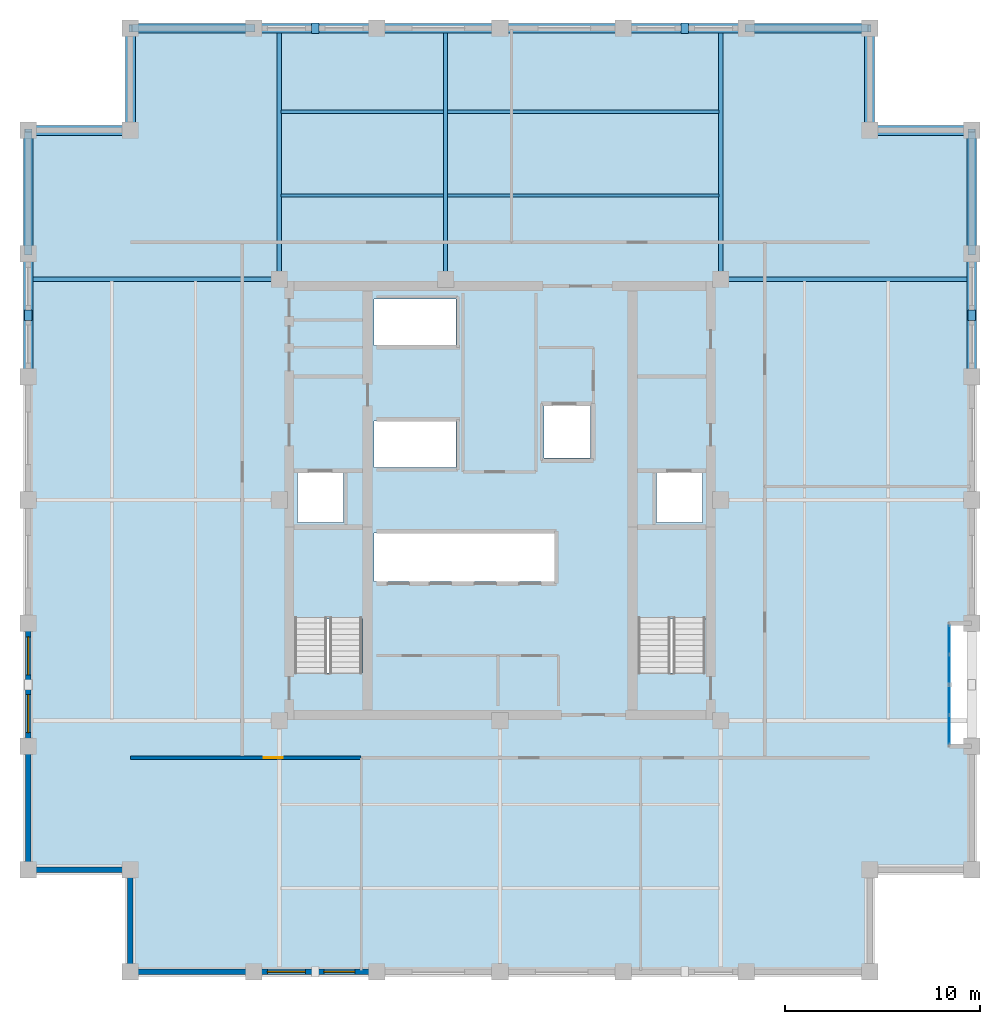
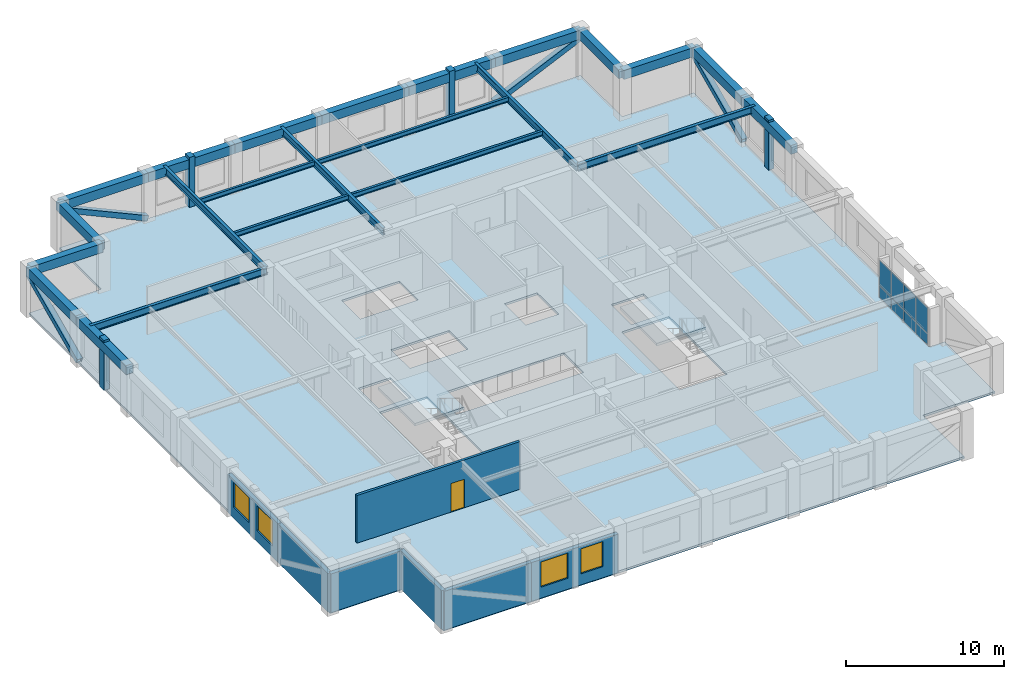
# One storey, part 3 of 8: 23 beams, 8 members, 8 plates, 7 walls, 4 windows, 3 slabs, 1 door, 5 openings, 3 elements without a shape of their own.
"""IFC4 building model written with IfcOpenShell, lengths in metres."""

from ifc_helpers import new_model, si_unit, direction, frame, frame_2d, origin, origin_2d, place, context, subcontext, project, spatial, polyline, rectangle, hollow_rectangle, i_section, outline, extrude, material, layer, layer_set, material_profile, profile_set, type_object, element, fill, aggregate, save


model = new_model("IFC4")

# Units and contexts
model_context = context("Model", 3, precision=1e-05, world=origin(), true_north=direction((0.0, 1.0)))
body_context = subcontext(model_context, "Body", "Model", "MODEL_VIEW")
ifc_project = project(units=[si_unit("LENGTHUNIT", "METRE"), si_unit("AREAUNIT", "SQUARE_METRE"), si_unit("VOLUMEUNIT", "CUBIC_METRE"), si_unit("PLANEANGLEUNIT", "RADIAN"), si_unit("MASSUNIT", "GRAM", prefix="KILO")], contexts=[model_context])

# Site, building, storey
site_placement = place(None, origin())
site = spatial("IfcSite", under=ifc_project, at=site_placement, CompositionType="ELEMENT")
building_placement = place(site_placement, origin())
building = spatial("IfcBuilding", under=site, at=building_placement, Name="Nhamokura Convention Tower", CompositionType="ELEMENT")
storey_placement = place(building_placement, frame((0.0, 0.0, 240.800048828125)))
storey = spatial("IfcBuildingStorey", under=building, at=storey_placement, Name="L59", CompositionType="ELEMENT", Elevation=240.800048828125)

# Members
ifc_material_1 = material(Name="Bronze-pigmented precast concrete C45/55", Category="concrete")
ifc_material_profile_1 = material_profile(ifc_material_1, rectangle(XDim=0.39990234375, YDim=0.550048828125, at=origin_2d()))
ifc_profile_set_1 = profile_set([ifc_material_profile_1], Name="Bronze-pigmented precast concrete C45/55")
member_type_1 = type_object("IfcMemberType", Name="BronzePilaster_550", PredefinedType="USERDEFINED", material=ifc_profile_set_1)
for number, where, z_axis, x_axis, name in (
    (1, (22.5, 56.25, 0.0), (0.0, 0.0, 1.0), (1.0, 0.0, 0.0), "L59 Engaged Frame Pilaster NORTH 1"),
    (2, (41.5, 56.25, 0.0), (0.0, 0.0, 1.0), (1.0, 0.0, 0.0), "L59 Engaged Frame Pilaster NORTH 4"),
    (3, (7.75, 41.5, 0.0), (0.0, 0.0, 1.0), (1.0, 0.0, 0.0), "L59 Engaged Frame Pilaster WEST 4"),
    (4, (56.25, 41.5, 0.0), (0.0, 0.0, 1.0), (1.0, 0.0, 0.0), "L59 Engaged Frame Pilaster EAST 4"),
):
    element("IfcMember", number, at=place(storey_placement, frame(where, z_axis=z_axis, x_axis=x_axis)), inside=storey, type_object=member_type_1, Name=name, ObjectType="PILASTER_TRIM", PredefinedType="USERDEFINED", context=body_context, shape_type="SweptSolid", body=[
        extrude(rectangle(XDim=0.39990234375, YDim=0.550048828125, at=origin_2d()), origin(), (0.0, 0.0, 1.0), 3.849853515625),
    ])

# Beams
ifc_material_2 = material(Name="Steel ASTM A992 Gr 50", Category="steel")
ifc_material_profile_2 = material_profile(ifc_material_2, i_section(OverallWidth=0.172119140625, OverallDepth=0.35791015625, WebThickness=0.0078125, FlangeThickness=0.01318359375, at=origin_2d()))
ifc_profile_set_2 = profile_set([ifc_material_profile_2], Name="Steel ASTM A992 Gr 50")
beam_type_1 = type_object("IfcBeamType", Name="FloorJoist_W360X57", PredefinedType="JOIST", material=ifc_profile_set_2)
beam_1_placement = place(storey_placement, frame((20.75341796875, 47.64990234375, 3.505859375), z_axis=(1.0, 0.0, 0.0), x_axis=(0.0, 1.0, 0.0)))
element("IfcBeam", 5, at=beam_1_placement, inside=storey, type_object=beam_type_1, Name="L59 Composite Floor Joist N1A", PredefinedType="JOIST", context=body_context, shape_type="SweptSolid", body=[
    extrude(i_section(OverallWidth=0.172119140625, OverallDepth=0.35791015625, WebThickness=0.0078125, FlangeThickness=0.01318359375, at=origin_2d()), origin(), (0.0, 0.0, 1.0), 8.343017578125),
])
beam_2_placement = place(storey_placement, frame((29.303466796875, 47.64990234375, 3.505859375), z_axis=(1.0, 0.0, 0.0), x_axis=(0.0, 1.0, 0.0)))
element("IfcBeam", 6, at=beam_2_placement, inside=storey, type_object=beam_type_1, Name="L59 Composite Floor Joist N1B", PredefinedType="JOIST", context=body_context, shape_type="SweptSolid", body=[
    extrude(i_section(OverallWidth=0.172119140625, OverallDepth=0.35791015625, WebThickness=0.0078125, FlangeThickness=0.01318359375, at=origin_2d()), origin(), (0.0, 0.0, 1.0), 13.943115234375),
])
beam_3_placement = place(storey_placement, frame((20.75341796875, 51.949951171875, 3.505859375), z_axis=(1.0, 0.0, 0.0), x_axis=(0.0, 1.0, 0.0)))
element("IfcBeam", 7, at=beam_3_placement, inside=storey, type_object=beam_type_1, Name="L59 Composite Floor Joist N2A", PredefinedType="JOIST", context=body_context, shape_type="SweptSolid", body=[
    extrude(i_section(OverallWidth=0.172119140625, OverallDepth=0.35791015625, WebThickness=0.0078125, FlangeThickness=0.01318359375, at=origin_2d()), origin(), (0.0, 0.0, 1.0), 8.343017578125),
])
beam_4_placement = place(storey_placement, frame((29.303466796875, 51.949951171875, 3.505859375), z_axis=(1.0, 0.0, 0.0), x_axis=(0.0, 1.0, 0.0)))
element("IfcBeam", 8, at=beam_4_placement, inside=storey, type_object=beam_type_1, Name="L59 Composite Floor Joist N2B", PredefinedType="JOIST", context=body_context, shape_type="SweptSolid", body=[
    extrude(i_section(OverallWidth=0.172119140625, OverallDepth=0.35791015625, WebThickness=0.0078125, FlangeThickness=0.01318359375, at=origin_2d()), origin(), (0.0, 0.0, 1.0), 13.943115234375),
])
ifc_material_3 = material(Name="Steel ASTM A992 Gr 50", Category="steel")
ifc_material_profile_3 = material_profile(ifc_material_3, i_section(OverallWidth=0.2109375, OverallDepth=0.5390625, WebThickness=0.01171875, FlangeThickness=0.018798828125, at=origin_2d()))
ifc_profile_set_3 = profile_set([ifc_material_profile_3], Name="Steel ASTM A992 Gr 50")
beam_type_2 = type_object("IfcBeamType", Name="PrimaryGirder_W530X109", PredefinedType="BEAM", material=ifc_profile_set_3)
for number, where, z_axis, x_axis, name in (
    (9, (20.64990234375, 43.35009765625, 3.41552734375), (0.0, 1.0, 0.0), (-1.0, 0.0, 0.0), "L59 Primary Floor Girder PG-N1"),
    (10, (29.199951171875, 43.35009765625, 3.41552734375), (0.0, 1.0, 0.0), (-1.0, 0.0, 0.0), "L59 Primary Floor Girder PG-N2"),
    (11, (43.35009765625, 43.35009765625, 3.41552734375), (0.0, 1.0, 0.0), (-1.0, 0.0, 0.0), "L59 Primary Floor Girder PG-N3"),
    (12, (7.75, 43.35009765625, 3.41552734375), (1.0, 0.0, 0.0), (0.0, 1.0, 0.0), "L59 Primary Floor Girder PG-W3"),
    (13, (43.35009765625, 43.35009765625, 3.41552734375), (1.0, 0.0, 0.0), (0.0, 1.0, 0.0), "L59 Primary Floor Girder PG-E3"),
):
    element("IfcBeam", number, at=place(storey_placement, frame(where, z_axis=z_axis, x_axis=x_axis)), inside=storey, type_object=beam_type_2, Name=name, PredefinedType="BEAM", context=body_context, shape_type="SweptSolid", body=[
        extrude(i_section(OverallWidth=0.2109375, OverallDepth=0.5390625, WebThickness=0.01171875, FlangeThickness=0.018798828125, at=origin_2d()), origin(), (0.0, 0.0, 1.0), 12.89990234375),
    ])

# Members
ifc_material_4 = material(Name="Steel ASTM A572 Gr 50", Category="steel")
ifc_material_profile_4 = material_profile(ifc_material_4, hollow_rectangle(XDim=0.39990234375, YDim=0.39990234375, WallThickness=0.02001953125, at=origin_2d()))
ifc_profile_set_4 = profile_set([ifc_material_profile_4], Name="Steel ASTM A572 Gr 50")
member_type_2 = type_object("IfcMemberType", Name="TubeBrace_HSS400", PredefinedType="BRACE", material=ifc_profile_set_4)
for number, where, z_axis, x_axis, name in (
    (14, (19.333251953125, 56.25, 0.14990234375), (-0.910027379678, 0.0, 0.41454814948), (0.0, -1.0, 0.0), "L59 Perimeter Tube Brace NORTH Bay 0"),
    (15, (44.666748046875, 56.25, 0.14990234375), (0.910027379678, 0.0, 0.41454814948), (0.0, 1.0, 0.0), "L59 Perimeter Tube Brace NORTH Bay 5"),
    (16, (7.75, 44.666748046875, 0.14990234375), (0.0, 0.910027379678, 0.41454814948), (-1.0, 0.0, 0.0), "L59 Perimeter Tube Brace WEST Bay 5"),
    (17, (56.25, 44.666748046875, 0.14990234375), (0.0, 0.910027379678, 0.41454814948), (-1.0, 0.0, 0.0), "L59 Perimeter Tube Brace EAST Bay 5"),
):
    element("IfcMember", number, at=place(storey_placement, frame(where, z_axis=z_axis, x_axis=x_axis)), inside=storey, type_object=member_type_2, Name=name, PredefinedType="BRACE", context=body_context, shape_type="SweptSolid", body=[
        extrude(hollow_rectangle(XDim=0.39990234375, YDim=0.39990234375, WallThickness=0.02001953125, at=origin_2d()), origin(), (0.0, 0.0, 1.0), 6.95947265625),
    ])

# Beams
ifc_material_5 = material(Name="Concrete C50/60", Category="concrete")
ifc_material_profile_5 = material_profile(ifc_material_5, rectangle(XDim=0.5, YDim=0.699951171875, at=origin_2d()))
ifc_profile_set_5 = profile_set([ifc_material_profile_5], Name="Concrete C50/60")
beam_type_3 = type_object("IfcBeamType", Name="TubeSpandrel_700", PredefinedType="SPANDREL", material=ifc_profile_set_5)
beam_5_placement = place(storey_placement, frame((13.0, 56.25, 3.3349609375), z_axis=(1.0, 0.0, 0.0), x_axis=(0.0, 1.0, 0.0)))
element("IfcBeam", 18, at=beam_5_placement, inside=storey, type_object=beam_type_3, Name="L59 Perimeter Spandrel NORTH 1", PredefinedType="SPANDREL", context=body_context, shape_type="SweptSolid", body=[
    extrude(rectangle(XDim=0.5, YDim=0.699951171875, at=origin_2d()), origin(), (0.0, 0.0, 1.0), 6.333251953125),
])
beam_6_placement = place(storey_placement, frame((19.333251953125, 56.25, 3.3349609375), z_axis=(1.0, 0.0, 0.0), x_axis=(0.0, 1.0, 0.0)))
element("IfcBeam", 19, at=beam_6_placement, inside=storey, type_object=beam_type_3, Name="L59 Perimeter Spandrel NORTH 2", PredefinedType="SPANDREL", context=body_context, shape_type="SweptSolid", body=[
    extrude(rectangle(XDim=0.5, YDim=0.699951171875, at=origin_2d()), origin(), (0.0, 0.0, 1.0), 6.33349609375),
])
for number, where, z_axis, x_axis, name in (
    (20, (25.666748046875, 56.25, 3.3349609375), (1.0, 0.0, 0.0), (0.0, 1.0, 0.0), "L59 Perimeter Spandrel NORTH 3"),
    (21, (32.0, 56.25, 3.3349609375), (1.0, 0.0, 0.0), (0.0, 1.0, 0.0), "L59 Perimeter Spandrel NORTH 4"),
):
    element("IfcBeam", number, at=place(storey_placement, frame(where, z_axis=z_axis, x_axis=x_axis)), inside=storey, type_object=beam_type_3, Name=name, PredefinedType="SPANDREL", context=body_context, shape_type="SweptSolid", body=[
        extrude(rectangle(XDim=0.5, YDim=0.699951171875, at=origin_2d()), origin(), (0.0, 0.0, 1.0), 6.333251953125),
    ])
beam_7_placement = place(storey_placement, frame((38.333251953125, 56.25, 3.3349609375), z_axis=(1.0, 0.0, 0.0), x_axis=(0.0, 1.0, 0.0)))
element("IfcBeam", 22, at=beam_7_placement, inside=storey, type_object=beam_type_3, Name="L59 Perimeter Spandrel NORTH 5", PredefinedType="SPANDREL", context=body_context, shape_type="SweptSolid", body=[
    extrude(rectangle(XDim=0.5, YDim=0.699951171875, at=origin_2d()), origin(), (0.0, 0.0, 1.0), 6.33349609375),
])
beam_8_placement = place(storey_placement, frame((44.666748046875, 56.25, 3.3349609375), z_axis=(1.0, 0.0, 0.0), x_axis=(0.0, 1.0, 0.0)))
element("IfcBeam", 23, at=beam_8_placement, inside=storey, type_object=beam_type_3, Name="L59 Perimeter Spandrel NORTH 6", PredefinedType="SPANDREL", context=body_context, shape_type="SweptSolid", body=[
    extrude(rectangle(XDim=0.5, YDim=0.699951171875, at=origin_2d()), origin(), (0.0, 0.0, 1.0), 6.333251953125),
])
beam_9_placement = place(storey_placement, frame((7.75, 38.333251953125, 3.3349609375), z_axis=(0.0, 1.0, 0.0), x_axis=(-1.0, 0.0, 0.0)))
element("IfcBeam", 24, at=beam_9_placement, inside=storey, type_object=beam_type_3, Name="L59 Perimeter Spandrel WEST 5", PredefinedType="SPANDREL", context=body_context, shape_type="SweptSolid", body=[
    extrude(rectangle(XDim=0.5, YDim=0.699951171875, at=origin_2d()), origin(), (0.0, 0.0, 1.0), 6.33349609375),
])
beam_10_placement = place(storey_placement, frame((7.75, 44.666748046875, 3.3349609375), z_axis=(0.0, 1.0, 0.0), x_axis=(-1.0, 0.0, 0.0)))
element("IfcBeam", 25, at=beam_10_placement, inside=storey, type_object=beam_type_3, Name="L59 Perimeter Spandrel WEST 6", PredefinedType="SPANDREL", context=body_context, shape_type="SweptSolid", body=[
    extrude(rectangle(XDim=0.5, YDim=0.699951171875, at=origin_2d()), origin(), (0.0, 0.0, 1.0), 6.333251953125),
])
beam_11_placement = place(storey_placement, frame((56.25, 38.333251953125, 3.3349609375), z_axis=(0.0, 1.0, 0.0), x_axis=(-1.0, 0.0, 0.0)))
element("IfcBeam", 26, at=beam_11_placement, inside=storey, type_object=beam_type_3, Name="L59 Perimeter Spandrel EAST 5", PredefinedType="SPANDREL", context=body_context, shape_type="SweptSolid", body=[
    extrude(rectangle(XDim=0.5, YDim=0.699951171875, at=origin_2d()), origin(), (0.0, 0.0, 1.0), 6.33349609375),
])
beam_12_placement = place(storey_placement, frame((56.25, 44.666748046875, 3.3349609375), z_axis=(0.0, 1.0, 0.0), x_axis=(-1.0, 0.0, 0.0)))
element("IfcBeam", 27, at=beam_12_placement, inside=storey, type_object=beam_type_3, Name="L59 Perimeter Spandrel EAST 6", PredefinedType="SPANDREL", context=body_context, shape_type="SweptSolid", body=[
    extrude(rectangle(XDim=0.5, YDim=0.699951171875, at=origin_2d()), origin(), (0.0, 0.0, 1.0), 6.333251953125),
])
for number, where, z_axis, x_axis, name in (
    (28, (56.25, 51.0, 3.3349609375), (-1.0, 0.0, 0.0), (0.0, -1.0, 0.0), "L59 Notch Spandrel NE1"),
    (29, (51.0, 51.0, 3.3349609375), (0.0, 1.0, 0.0), (-1.0, 0.0, 0.0), "L59 Notch Spandrel NE2"),
    (30, (13.0, 56.25, 3.3349609375), (0.0, -1.0, 0.0), (1.0, 0.0, 0.0), "L59 Notch Spandrel NW1"),
    (31, (13.0, 51.0, 3.3349609375), (-1.0, 0.0, 0.0), (0.0, -1.0, 0.0), "L59 Notch Spandrel NW2"),
):
    element("IfcBeam", number, at=place(storey_placement, frame(where, z_axis=z_axis, x_axis=x_axis)), inside=storey, type_object=beam_type_3, Name=name, PredefinedType="SPANDREL", context=body_context, shape_type="SweptSolid", body=[
        extrude(rectangle(XDim=0.5, YDim=0.699951171875, at=origin_2d()), origin(), (0.0, 0.0, 1.0), 5.25),
    ])

# Curtain wall, plates
ifc_material_6 = material(Name="Anodised bronze aluminium AA6063-T6", Category="aluminium")
ifc_layer_1 = layer(ifc_material_6, 0.155029296875)
ifc_layer_set_1 = layer_set([ifc_layer_1], Name="CWSystem_ScaleSlot_Zone3")
curtain_wall_type = type_object("IfcCurtainWallType", Name="CWSystem_ScaleSlot_Zone3", PredefinedType="NOTDEFINED", material=ifc_layer_set_1)
curtain_wall_placement = place(storey_placement, origin())
curtain_wall = element("IfcCurtainWall", 32, at=curtain_wall_placement, inside=storey, type_object=curtain_wall_type, Name="L59 Curtain Wall ENV-L59-SLOT-E1", PredefinedType="NOTDEFINED")
ifc_material_7 = material(Name="Solar-control bronze low-E double glass", Category="glass")
ifc_layer_2 = layer(ifc_material_7, 0.0400390625)
ifc_layer_set_2 = layer_set([ifc_layer_2], Name="CWGlazedPanel_3")
plate_type = type_object("IfcPlateType", Name="CWGlazedPanel_3", PredefinedType="CURTAIN_PANEL", material=ifc_layer_set_2)
plate_1_placement = place(storey_placement, frame((55.10009765625, 24.813720703125, 0.06494140625), z_axis=(0.0, 0.0, 1.0), x_axis=(0.0, -1.0, 0.0)))
plate_1 = element("IfcPlate", 33, at=plate_1_placement, type_object=plate_type, Name="CW-05 panel 1.1", PredefinedType="CURTAIN_PANEL", context=body_context, shape_type="SweptSolid", body=[
    extrude(rectangle(XDim=1.455810546875, YDim=0.0400390625, at=origin_2d()), origin(), (0.0, 0.0, 1.0), 0.8525390625),
])
plate_2_placement = place(storey_placement, frame((55.10009765625, 24.813720703125, 0.982421875), z_axis=(0.0, 0.0, 1.0), x_axis=(0.0, -1.0, 0.0)))
plate_2 = element("IfcPlate", 34, at=plate_2_placement, type_object=plate_type, Name="CW-05 panel 1.2", PredefinedType="CURTAIN_PANEL", context=body_context, shape_type="SweptSolid", body=[
    extrude(rectangle(XDim=1.455810546875, YDim=0.0400390625, at=origin_2d()), origin(), (0.0, 0.0, 1.0), 1.9375),
])
plate_3_placement = place(storey_placement, frame((55.10009765625, 23.276611328125, 0.06494140625), z_axis=(0.0, 0.0, 1.0), x_axis=(0.0, -1.0, 0.0)))
plate_3 = element("IfcPlate", 35, at=plate_3_placement, type_object=plate_type, Name="CW-05 panel 2.1", PredefinedType="CURTAIN_PANEL", context=body_context, shape_type="SweptSolid", body=[
    extrude(rectangle(XDim=1.48828125, YDim=0.0400390625, at=origin_2d()), origin(), (0.0, 0.0, 1.0), 0.8525390625),
])
plate_4_placement = place(storey_placement, frame((55.10009765625, 23.276611328125, 0.982421875), z_axis=(0.0, 0.0, 1.0), x_axis=(0.0, -1.0, 0.0)))
plate_4 = element("IfcPlate", 36, at=plate_4_placement, type_object=plate_type, Name="CW-05 panel 2.2", PredefinedType="CURTAIN_PANEL", context=body_context, shape_type="SweptSolid", body=[
    extrude(rectangle(XDim=1.48828125, YDim=0.0400390625, at=origin_2d()), origin(), (0.0, 0.0, 1.0), 1.9375),
])
plate_5_placement = place(storey_placement, frame((55.10009765625, 21.723388671875, 0.06494140625), z_axis=(0.0, 0.0, 1.0), x_axis=(0.0, -1.0, 0.0)))
plate_5 = element("IfcPlate", 37, at=plate_5_placement, type_object=plate_type, Name="CW-05 panel 3.1", PredefinedType="CURTAIN_PANEL", context=body_context, shape_type="SweptSolid", body=[
    extrude(rectangle(XDim=1.48828125, YDim=0.0400390625, at=origin_2d()), origin(), (0.0, 0.0, 1.0), 0.8525390625),
])
plate_6_placement = place(storey_placement, frame((55.10009765625, 21.723388671875, 0.982421875), z_axis=(0.0, 0.0, 1.0), x_axis=(0.0, -1.0, 0.0)))
plate_6 = element("IfcPlate", 38, at=plate_6_placement, type_object=plate_type, Name="CW-05 panel 3.2", PredefinedType="CURTAIN_PANEL", context=body_context, shape_type="SweptSolid", body=[
    extrude(rectangle(XDim=1.48828125, YDim=0.0400390625, at=origin_2d()), origin(), (0.0, 0.0, 1.0), 1.9375),
])
plate_7_placement = place(storey_placement, frame((55.10009765625, 20.186279296875, 0.06494140625), z_axis=(0.0, 0.0, 1.0), x_axis=(0.0, -1.0, 0.0)))
plate_7 = element("IfcPlate", 39, at=plate_7_placement, type_object=plate_type, Name="CW-05 panel 4.1", PredefinedType="CURTAIN_PANEL", context=body_context, shape_type="SweptSolid", body=[
    extrude(rectangle(XDim=1.455810546875, YDim=0.0400390625, at=origin_2d()), origin(), (0.0, 0.0, 1.0), 0.8525390625),
])
plate_8_placement = place(storey_placement, frame((55.10009765625, 20.186279296875, 0.982421875), z_axis=(0.0, 0.0, 1.0), x_axis=(0.0, -1.0, 0.0)))
plate_8 = element("IfcPlate", 40, at=plate_8_placement, type_object=plate_type, Name="CW-05 panel 4.2", PredefinedType="CURTAIN_PANEL", context=body_context, shape_type="SweptSolid", body=[
    extrude(rectangle(XDim=1.455810546875, YDim=0.0400390625, at=origin_2d()), origin(), (0.0, 0.0, 1.0), 1.9375),
])
aggregate(curtain_wall, [plate_1, plate_2, plate_3, plate_4, plate_5, plate_6, plate_7, plate_8])

# Slab
ifc_material_8 = material(Name="Concrete C40/50", Category="concrete")
ifc_layer_3 = layer(ifc_material_8, 0.1650390625)
ifc_layer_set_3 = layer_set([ifc_layer_3], Name="OfficeFloorSlab_165")
slab_type_1 = type_object("IfcSlabType", Name="OfficeFloorSlab_165", PredefinedType="FLOOR", material=ifc_layer_set_3)
slab_1_placement = place(storey_placement, frame((0.0, 0.0, -0.1650390625)))
element("IfcSlab", 41, at=slab_1_placement, inside=storey, type_object=slab_type_1, Name="L59 Structural Floor Slab", PredefinedType="FLOOR", context=body_context, shape_type="SweptSolid", body=[
    extrude(outline(polyline([(13.0, 7.75), (51.0, 7.75), (51.0, 13.0), (56.25, 13.0), (56.25, 19.333251953125), (55.10009765625, 19.333251953125), (55.10009765625, 25.666748046875), (56.25, 25.666748046875), (56.25, 51.0), (51.0, 51.0), (51.0, 56.25), (13.0, 56.25), (13.0, 51.0), (7.75, 51.0), (7.75, 13.0), (13.0, 13.0), (13.0, 7.75)]), holes=[polyline([(24.89990234375, 23.10009765625), (24.89990234375, 30.449951171875), (21.449951171875, 30.449951171875), (21.449951171875, 23.10009765625), (24.89990234375, 23.10009765625)]), polyline([(42.550048828125, 23.10009765625), (42.550048828125, 30.449951171875), (39.10009765625, 30.449951171875), (39.10009765625, 23.10009765625), (42.550048828125, 23.10009765625)]), polyline([(21.60009765625, 30.85009765625), (23.949951171875, 30.85009765625), (23.949951171875, 33.39990234375), (21.60009765625, 33.39990234375), (21.60009765625, 30.85009765625)]), polyline([(40.050048828125, 30.85009765625), (42.39990234375, 30.85009765625), (42.39990234375, 33.39990234375), (40.050048828125, 33.39990234375), (40.050048828125, 30.85009765625)]), polyline([(34.25, 34.14990234375), (36.64990234375, 34.14990234375), (36.64990234375, 36.85009765625), (34.25, 36.85009765625), (34.25, 34.14990234375)]), polyline([(25.52001953125, 27.800048828125), (34.800048828125, 27.800048828125), (34.800048828125, 30.300048828125), (25.52001953125, 30.300048828125), (25.52001953125, 27.800048828125)]), polyline([(25.52001953125, 33.679931640625), (29.75, 33.679931640625), (29.75, 36.050048828125), (25.52001953125, 36.050048828125), (25.52001953125, 33.679931640625)]), polyline([(25.52001953125, 39.949951171875), (29.75, 39.949951171875), (29.75, 42.320068359375), (25.52001953125, 42.320068359375), (25.52001953125, 39.949951171875)])]), origin(), (0.0, 0.0, 1.0), 0.1650390625),
])

# Stair, slab
ifc_material_9 = material(Name="Concrete C40/50", Category="concrete")
stair_type = type_object("IfcStairType", Name="TowerCoreStair_1650", PredefinedType="HALF_TURN_STAIR", material=ifc_material_9)
stair_1_placement = place(storey_placement, origin())
stair_1 = element("IfcStair", 42, at=stair_1_placement, inside=storey, type_object=stair_type, Name="L59 West Core Smokeproof Stair ST-01", PredefinedType="HALF_TURN_STAIR")
ifc_material_10 = material(Name="Concrete C40/50", Category="concrete")
ifc_layer_4 = layer(ifc_material_10, 0.199951171875)
ifc_layer_set_4 = layer_set([ifc_layer_4], Name="StairLandingSlab_200")
slab_type_2 = type_object("IfcSlabType", Name="StairLandingSlab_200", PredefinedType="LANDING", material=ifc_layer_set_4)
slab_2_placement = place(storey_placement, frame((0.0, 0.0, 1.724853515625)))
slab_2 = element("IfcSlab", 43, at=slab_2_placement, type_object=slab_type_2, Name="ST-01 landing 1", PredefinedType="LANDING", context=body_context, shape_type="SweptSolid", body=[
    extrude(outline(polyline([(24.97998046875, 25.8701171875), (24.97998046875, 30.530029296875), (21.3701171875, 30.530029296875), (21.3701171875, 25.8701171875), (24.97998046875, 25.8701171875)])), origin(), (0.0, 0.0, 1.0), 0.2001953125),
])
aggregate(stair_1, [slab_2])

stair_2_placement = place(storey_placement, origin())
stair_2 = element("IfcStair", 44, at=stair_2_placement, inside=storey, type_object=stair_type, Name="L59 East Core Smokeproof Stair ST-02", PredefinedType="HALF_TURN_STAIR")
slab_3_placement = place(storey_placement, frame((0.0, 0.0, 1.724853515625)))
slab_3 = element("IfcSlab", 45, at=slab_3_placement, type_object=slab_type_2, Name="ST-02 landing 1", PredefinedType="LANDING", context=body_context, shape_type="SweptSolid", body=[
    extrude(outline(polyline([(42.6298828125, 25.8701171875), (42.6298828125, 30.530029296875), (39.02001953125, 30.530029296875), (39.02001953125, 25.8701171875), (42.6298828125, 25.8701171875)])), origin(), (0.0, 0.0, 1.0), 0.2001953125),
])
aggregate(stair_2, [slab_3])

# Wall
ifc_material_11 = material(Name="Bronze-pigmented precast concrete C45/55", Category="concrete")
ifc_layer_5 = layer(ifc_material_11, 0.280029296875)
ifc_layer_set_5 = layer_set([ifc_layer_5], Name="BronzePrecastSpandrel_280")
wall_type_1 = type_object("IfcWallType", Name="BronzePrecastSpandrel_280", PredefinedType="USERDEFINED", material=ifc_layer_set_5)
wall_1_placement = place(storey_placement, frame((19.333251953125, 7.75, 0.0), z_axis=(0.0, 0.0, 1.0), x_axis=(-1.0, 0.0, 0.0)))
element("IfcWall", 46, at=wall_1_placement, inside=storey, type_object=wall_type_1, Name="L59 Braced-Bay Precast Wall SOUTH 0", ObjectType="SPANDREL_WALL", PredefinedType="USERDEFINED", context=body_context, shape_type="SweptSolid", body=[
    extrude(rectangle(XDim=6.333251953125, YDim=0.280029296875, at=frame_2d((3.16650390625, 0.0))), origin(), (0.0, 0.0, 1.0), 2.98486328125),
])

# Wall, openings, windows
wall_2_placement = place(storey_placement, frame((25.666748046875, 7.75, 0.0), z_axis=(0.0, 0.0, 1.0), x_axis=(-1.0, 0.0, 0.0)))
wall_2 = element("IfcWall", 47, at=wall_2_placement, inside=storey, type_object=wall_type_1, Name="L59 Masonry-Frame Wall SOUTH 1", ObjectType="SPANDREL_WALL", PredefinedType="USERDEFINED", context=body_context, shape_type="SweptSolid", body=[
    extrude(rectangle(XDim=6.33349609375, YDim=0.280029296875, at=frame_2d((3.166748046875, 0.0))), origin(), (0.0, 0.0, 1.0), 2.98486328125),
])
opening_1_placement = place(wall_2_placement, frame((1.120849609375, 0.0, 0.85009765625)))
opening_1 = element("IfcOpeningElement", 48, at=opening_1_placement, cuts=wall_2, Name="Opening W-11", PredefinedType="OPENING", context=body_context, shape_type="SweptSolid", body=[
    extrude(rectangle(XDim=1.60009765625, YDim=1.93505859375, at=frame_2d((0.800048828125, 0.967529296875))), frame((0.0, 0.14990234375, 0.0), z_axis=(0.0, -1.0, 0.0), x_axis=(1.0, 0.0, 0.0)), (0.0, 0.0, 1.0), 0.300048828125),
])
opening_2_placement = place(wall_2_placement, frame((3.675048828125, 0.0, 0.85009765625)))
opening_2 = element("IfcOpeningElement", 49, at=opening_2_placement, cuts=wall_2, Name="Opening W-08", PredefinedType="OPENING", context=body_context, shape_type="SweptSolid", body=[
    extrude(rectangle(XDim=1.949951171875, YDim=1.93505859375, at=frame_2d((0.97509765625, 0.967529296875))), frame((0.0, 0.14990234375, 0.0), z_axis=(0.0, -1.0, 0.0), x_axis=(1.0, 0.0, 0.0)), (0.0, 0.0, 1.0), 0.300048828125),
])
ifc_material_12 = material(Name="Solar-control bronze low-E double glass", Category="glass")
window_type_1 = type_object("IfcWindowType", Name="NotchCornerWindow_1600", PartitioningType="SINGLE_PANEL", PredefinedType="WINDOW", material=ifc_material_12)
window_1_placement = place(opening_1_placement, origin())
window_1 = element("IfcWindow", 50, at=window_1_placement, inside=storey, type_object=window_type_1, Name="L59 Facade Window SOUTH 1-1", OverallHeight=1.93505859375, OverallWidth=1.60009765625, PartitioningType="SINGLE_PANEL", PredefinedType="WINDOW", context=body_context, shape_type="SweptSolid", body=[
    extrude(rectangle(XDim=1.60009765625, YDim=1.93505859375, at=frame_2d((0.800048828125, 0.967529296875))), frame((0.0, 0.030029296875, 0.0), z_axis=(0.0, -1.0, 0.0), x_axis=(1.0, 0.0, 0.0)), (0.0, 0.0, 1.0), 0.06005859375),
])
fill(opening_1, window_1)
ifc_material_13 = material(Name="Solar-control bronze low-E double glass", Category="glass")
window_type_2 = type_object("IfcWindowType", Name="OfficeModuleWindow_Z3_1950", PartitioningType="SINGLE_PANEL", PredefinedType="WINDOW", material=ifc_material_13)
window_2_placement = place(opening_2_placement, origin())
window_2 = element("IfcWindow", 51, at=window_2_placement, inside=storey, type_object=window_type_2, Name="L59 Facade Window SOUTH 1-2", OverallHeight=1.93505859375, OverallWidth=1.949951171875, PartitioningType="SINGLE_PANEL", PredefinedType="WINDOW", context=body_context, shape_type="SweptSolid", body=[
    extrude(rectangle(XDim=1.949951171875, YDim=1.93505859375, at=frame_2d((0.97509765625, 0.967529296875))), frame((0.0, 0.030029296875, 0.0), z_axis=(0.0, -1.0, 0.0), x_axis=(1.0, 0.0, 0.0)), (0.0, 0.0, 1.0), 0.06005859375),
])
fill(opening_2, window_2)

# Wall
wall_3_placement = place(storey_placement, frame((7.75, 13.0, 0.0), z_axis=(0.0, 0.0, 1.0), x_axis=(0.0, 1.0, 0.0)))
element("IfcWall", 52, at=wall_3_placement, inside=storey, type_object=wall_type_1, Name="L59 Braced-Bay Precast Wall WEST 0", ObjectType="SPANDREL_WALL", PredefinedType="USERDEFINED", context=body_context, shape_type="SweptSolid", body=[
    extrude(rectangle(XDim=6.333251953125, YDim=0.280029296875, at=frame_2d((3.16650390625, 0.0))), origin(), (0.0, 0.0, 1.0), 2.98486328125),
])

# Wall, openings, windows
wall_4_placement = place(storey_placement, frame((7.75, 19.333251953125, 0.0), z_axis=(0.0, 0.0, 1.0), x_axis=(0.0, 1.0, 0.0)))
wall_4 = element("IfcWall", 53, at=wall_4_placement, inside=storey, type_object=wall_type_1, Name="L59 Masonry-Frame Wall WEST 1", ObjectType="SPANDREL_WALL", PredefinedType="USERDEFINED", context=body_context, shape_type="SweptSolid", body=[
    extrude(rectangle(XDim=6.33349609375, YDim=0.280029296875, at=frame_2d((3.166748046875, 0.0))), origin(), (0.0, 0.0, 1.0), 2.98486328125),
])
opening_3_placement = place(wall_4_placement, frame((0.708251953125, 0.0, 0.85009765625)))
opening_3 = element("IfcOpeningElement", 54, at=opening_3_placement, cuts=wall_4, Name="Opening W-08", PredefinedType="OPENING", context=body_context, shape_type="SweptSolid", body=[
    extrude(rectangle(XDim=1.949951171875, YDim=1.93505859375, at=frame_2d((0.97509765625, 0.967529296875))), frame((0.0, 0.14990234375, 0.0), z_axis=(0.0, -1.0, 0.0), x_axis=(1.0, 0.0, 0.0)), (0.0, 0.0, 1.0), 0.300048828125),
])
opening_4_placement = place(wall_4_placement, frame((3.675048828125, 0.0, 0.85009765625)))
opening_4 = element("IfcOpeningElement", 55, at=opening_4_placement, cuts=wall_4, Name="Opening W-08", PredefinedType="OPENING", context=body_context, shape_type="SweptSolid", body=[
    extrude(rectangle(XDim=1.949951171875, YDim=1.93505859375, at=frame_2d((0.97509765625, 0.967529296875))), frame((0.0, 0.14990234375, 0.0), z_axis=(0.0, -1.0, 0.0), x_axis=(1.0, 0.0, 0.0)), (0.0, 0.0, 1.0), 0.300048828125),
])
window_3_placement = place(opening_3_placement, origin())
window_3 = element("IfcWindow", 56, at=window_3_placement, inside=storey, type_object=window_type_2, Name="L59 Facade Window WEST 1-1", OverallHeight=1.93505859375, OverallWidth=1.949951171875, PartitioningType="SINGLE_PANEL", PredefinedType="WINDOW", context=body_context, shape_type="SweptSolid", body=[
    extrude(rectangle(XDim=1.949951171875, YDim=1.93505859375, at=frame_2d((0.97509765625, 0.967529296875))), frame((0.0, 0.030029296875, 0.0), z_axis=(0.0, -1.0, 0.0), x_axis=(1.0, 0.0, 0.0)), (0.0, 0.0, 1.0), 0.06005859375),
])
fill(opening_3, window_3)
window_4_placement = place(opening_4_placement, origin())
window_4 = element("IfcWindow", 57, at=window_4_placement, inside=storey, type_object=window_type_2, Name="L59 Facade Window WEST 1-2", OverallHeight=1.93505859375, OverallWidth=1.949951171875, PartitioningType="SINGLE_PANEL", PredefinedType="WINDOW", context=body_context, shape_type="SweptSolid", body=[
    extrude(rectangle(XDim=1.949951171875, YDim=1.93505859375, at=frame_2d((0.97509765625, 0.967529296875))), frame((0.0, 0.030029296875, 0.0), z_axis=(0.0, -1.0, 0.0), x_axis=(1.0, 0.0, 0.0)), (0.0, 0.0, 1.0), 0.06005859375),
])
fill(opening_4, window_4)

# Walls
for number, where, z_axis, x_axis, name in (
    (58, (13.0, 7.75, 0.0), (0.0, 0.0, 1.0), (0.0, 1.0, 0.0), "L59 Notched Corner Wall SW1"),
    (59, (13.0, 13.0, 0.0), (0.0, 0.0, 1.0), (-1.0, 0.0, 0.0), "L59 Notched Corner Wall SW2"),
):
    element("IfcWall", number, at=place(storey_placement, frame(where, z_axis=z_axis, x_axis=x_axis)), inside=storey, type_object=wall_type_1, Name=name, ObjectType="SPANDREL_WALL", PredefinedType="USERDEFINED", context=body_context, shape_type="SweptSolid", body=[
        extrude(rectangle(XDim=5.25, YDim=0.280029296875, at=frame_2d((2.625, 0.0))), origin(), (0.0, 0.0, 1.0), 2.98486328125),
    ])

# Wall, opening, door
ifc_material_14 = material(Name="Fire-rated gypsum and masonry partition", Category="masonry")
ifc_layer_6 = layer(ifc_material_14, 0.179931640625)
ifc_layer_set_6 = layer_set([ifc_layer_6], Name="CorridorRatedWall_180")
wall_type_2 = type_object("IfcWallType", Name="CorridorRatedWall_180", PredefinedType="STANDARD", material=ifc_layer_set_6)
wall_5_placement = place(storey_placement, frame((13.0, 18.75, 0.0), z_axis=(0.0, 0.0, 1.0), x_axis=(1.0, 0.0, 0.0)))
wall_5 = element("IfcWall", 60, at=wall_5_placement, inside=storey, type_object=wall_type_2, Name="L59 Wall INT-L59-CW-S00", PredefinedType="STANDARD", context=body_context, shape_type="SweptSolid", body=[
    extrude(rectangle(XDim=11.86669921875, YDim=0.179931640625, at=frame_2d((5.933349609375, 0.0))), origin(), (0.0, 0.0, 1.0), 3.68505859375),
])
opening_5_placement = place(wall_5_placement, frame((6.8583984375, 0.0, 0.0)))
opening_5 = element("IfcOpeningElement", 61, at=opening_5_placement, cuts=wall_5, Name="Opening D-08", PredefinedType="OPENING", context=body_context, shape_type="SweptSolid", body=[
    extrude(rectangle(XDim=0.97998046875, YDim=2.199951171875, at=frame_2d((0.489990234375, 1.10009765625))), frame((0.0, 0.099853515625, 0.0), z_axis=(0.0, -1.0, 0.0), x_axis=(1.0, 0.0, 0.0)), (0.0, 0.0, 1.0), 0.199951171875),
])
ifc_material_15 = material(Name="Solid oak hardwood", Category="wood")
door_type = type_object("IfcDoorType", Name="OfficeEntryDoor_980", OperationType="NOTDEFINED", PredefinedType="DOOR", material=ifc_material_15)
door_placement = place(opening_5_placement, origin())
door = element("IfcDoor", 62, at=door_placement, inside=storey, type_object=door_type, Name="L59 Conference Hall S01 Door", OperationType="SINGLE_SWING_LEFT", OverallHeight=2.199951171875, OverallWidth=0.97998046875, PredefinedType="DOOR", context=body_context, shape_type="SweptSolid", body=[
    extrude(rectangle(XDim=0.97998046875, YDim=2.199951171875, at=frame_2d((0.489990234375, 1.10009765625))), frame((0.0, 0.02490234375, 0.0), z_axis=(0.0, -1.0, 0.0), x_axis=(1.0, 0.0, 0.0)), (0.0, 0.0, 1.0), 0.050048828125),
])
fill(opening_5, door)

save(model, "model.ifc")
